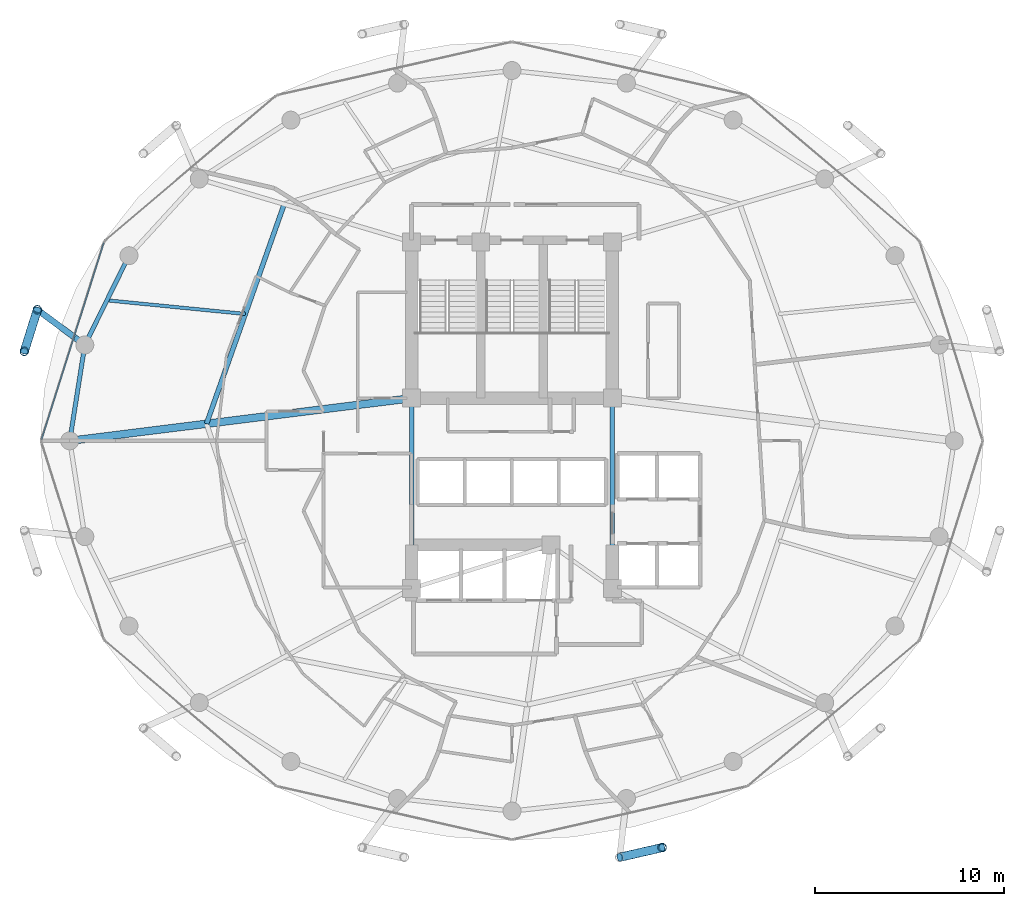
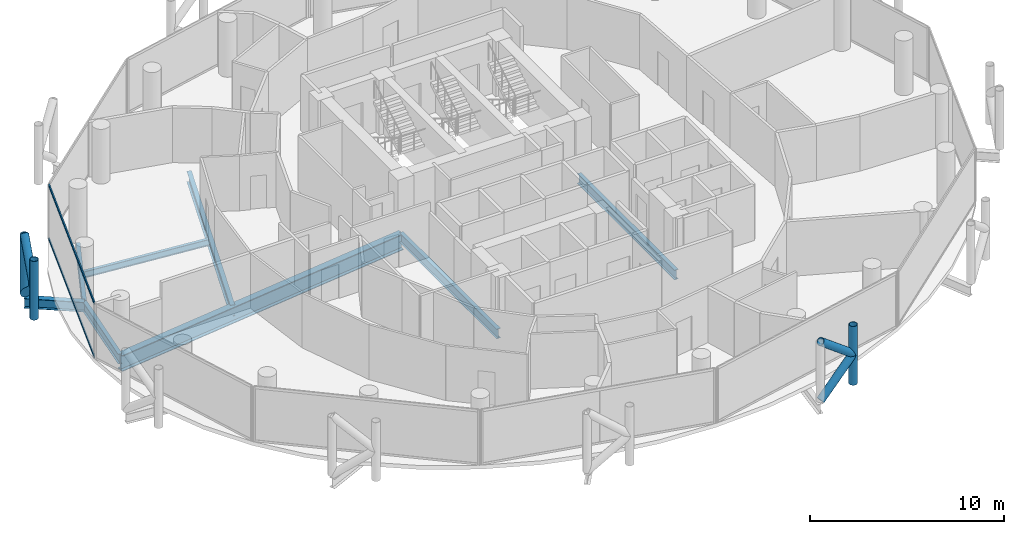
# One storey, part 7 of 26: 9 members, 8 beams, 1 element without a shape of its own.
"""IFC4 building model written with IfcOpenShell, lengths in metres."""

from ifc_helpers import new_model, si_unit, direction, frame, origin, origin_2d, place, context, subcontext, project, spatial, hollow_rectangle, hollow_circle, i_section, extrude, material, layer, layer_set, material_profile, profile_set, type_object, element, aggregate, save


model = new_model("IFC4")

# Units and contexts
model_context = context("Model", 3, precision=1e-05, world=origin(), true_north=direction((0.0, 1.0)))
body_context = subcontext(model_context, "Body", "Model", "MODEL_VIEW")
ifc_project = project(units=[si_unit("LENGTHUNIT", "METRE"), si_unit("AREAUNIT", "SQUARE_METRE"), si_unit("VOLUMEUNIT", "CUBIC_METRE"), si_unit("PLANEANGLEUNIT", "RADIAN"), si_unit("MASSUNIT", "GRAM", prefix="KILO")], contexts=[model_context])

# Site, building, storey
site_placement = place(None, origin())
site = spatial("IfcSite", under=ifc_project, at=site_placement, CompositionType="ELEMENT")
building_placement = place(site_placement, origin())
building = spatial("IfcBuilding", under=site, at=building_placement, Name="Nuhasar Tower", CompositionType="ELEMENT")
storey_placement = place(building_placement, frame((0.0, 0.0, 125.64990234375)))
storey = spatial("IfcBuildingStorey", under=building, at=storey_placement, Name="L29", CompositionType="ELEMENT", Elevation=125.64990234375)

# Beams
ifc_material_1 = material(Name="Steel S355", Category="steel")
ifc_material_profile_1 = material_profile(ifc_material_1, i_section(OverallWidth=0.25390625, OverallDepth=0.68408203125, WebThickness=0.012451171875, FlangeThickness=0.018798828125, at=origin_2d()), Name="W27X94")
ifc_profile_set_1 = profile_set([ifc_material_profile_1], Name="Steel S355")
beam_type_1 = type_object("IfcBeamType", Name="BM-INRING-W27X94", PredefinedType="BEAM", material=ifc_profile_set_1)
beam_1_placement = place(storey_placement, frame((26.972900390625, 39.2939453125, -0.591796875), z_axis=(-0.333599821096, -0.942714781556, 0.0), x_axis=(0.942714781556, -0.333599821096, 0.0)))
element("IfcBeam", 1, at=beam_1_placement, inside=storey, type_object=beam_type_1, Name="L29 Inner Header Beam 07", PredefinedType="BEAM", context=body_context, shape_type="SweptSolid", body=[
    extrude(i_section(OverallWidth=0.25390625, OverallDepth=0.68408203125, WebThickness=0.012451171875, FlangeThickness=0.018798828125, at=origin_2d()), origin(), (0.0, 0.0, 1.0), 12.298583984375),
])
ifc_material_profile_2 = material_profile(ifc_material_1, i_section(OverallWidth=0.177978515625, OverallDepth=0.406005859375, WebThickness=0.0078125, FlangeThickness=0.0126953125, at=origin_2d()), Name="W16X40")
ifc_profile_set_2 = profile_set([ifc_material_profile_2], Name="Steel S355")
beam_type_2 = type_object("IfcBeamType", Name="BM-JST-W16X40", PredefinedType="JOIST", material=ifc_profile_set_2)
beam_2_placement = place(storey_placement, frame((24.922119140625, 33.4970703125, -0.452880859375), z_axis=(-0.995171845755, 0.098147834497, 0.0), x_axis=(-0.098147834497, -0.995171845755, 0.0)))
element("IfcBeam", 2, at=beam_2_placement, inside=storey, type_object=beam_type_2, Name="L29 Secondary Floor Joist 07", PredefinedType="JOIST", context=body_context, shape_type="SweptSolid", body=[
    extrude(i_section(OverallWidth=0.177978515625, OverallDepth=0.406005859375, WebThickness=0.0078125, FlangeThickness=0.0126953125, at=origin_2d()), origin(), (0.0, 0.0, 1.0), 7.345458984375),
])
ifc_material_profile_3 = material_profile(ifc_material_1, i_section(OverallWidth=0.22900390625, OverallDepth=0.612060546875, WebThickness=0.011962890625, FlangeThickness=0.01953125, at=origin_2d()), Name="W24X84")
ifc_profile_set_3 = profile_set([ifc_material_profile_3], Name="Steel S355")
beam_type_3 = type_object("IfcBeamType", Name="BM-RAD-W24X84", PredefinedType="BEAM", material=ifc_profile_set_3)
for number, where, z_axis, x_axis, name in (
    (3, (44.300048828125, 19.0, -0.555908203125), (0.0, 1.0, 0.0), (-1.0, 0.0, 0.0), "L29 Core Ring Girder 3"),
    (4, (33.699951171875, 29.050048828125, -0.555908203125), (0.0, -1.0, 0.0), (1.0, 0.0, 0.0), "L29 Core Ring Girder 8"),
):
    element("IfcBeam", number, at=place(storey_placement, frame(where, z_axis=z_axis, x_axis=x_axis)), inside=storey, type_object=beam_type_3, Name=name, PredefinedType="BEAM", context=body_context, shape_type="SweptSolid", body=[
        extrude(i_section(OverallWidth=0.22900390625, OverallDepth=0.612060546875, WebThickness=0.011962890625, FlangeThickness=0.01953125, at=origin_2d()), origin(), (0.0, 0.0, 1.0), 10.050048828125),
    ])
ifc_material_profile_4 = material_profile(ifc_material_1, i_section(OverallWidth=0.22998046875, OverallDepth=0.616943359375, WebThickness=0.01318359375, FlangeThickness=0.022216796875, at=origin_2d()), Name="W24X94")
ifc_profile_set_4 = profile_set([ifc_material_profile_4], Name="Steel S355")
beam_type_4 = type_object("IfcBeamType", Name="BM-RING-W24X94", PredefinedType="SPANDREL", material=ifc_profile_set_4)
beam_3_placement = place(storey_placement, frame((18.778076171875, 36.574951171875, -0.557861328125), z_axis=(-0.443347771709, -0.896349682501, 0.0), x_axis=(0.896349682501, -0.443347771709, 0.0)))
element("IfcBeam", 5, at=beam_3_placement, inside=storey, type_object=beam_type_4, Name="L29 Perimeter Ring Spandrel 11", PredefinedType="SPANDREL", context=body_context, shape_type="SweptSolid", body=[
    extrude(i_section(OverallWidth=0.22998046875, OverallDepth=0.616943359375, WebThickness=0.01318359375, FlangeThickness=0.022216796875, at=origin_2d()), origin(), (0.0, 0.0, 1.0), 5.260009765625),
])
beam_4_placement = place(storey_placement, frame((16.446044921875, 31.860107421875, -0.557861328125), z_axis=(-0.155426543608, -0.987847452566, 0.0), x_axis=(0.987847452566, -0.155426543608, 0.0)))
element("IfcBeam", 6, at=beam_4_placement, inside=storey, type_object=beam_type_4, Name="L29 Perimeter Ring Spandrel 12", PredefinedType="SPANDREL", context=body_context, shape_type="SweptSolid", body=[
    extrude(i_section(OverallWidth=0.22998046875, OverallDepth=0.616943359375, WebThickness=0.01318359375, FlangeThickness=0.022216796875, at=origin_2d()), origin(), (0.0, 0.0, 1.0), 5.122314453125),
])
ifc_material_profile_5 = material_profile(ifc_material_1, i_section(OverallWidth=0.323974609375, OverallDepth=0.611083984375, WebThickness=0.0126953125, FlangeThickness=0.01904296875, at=origin_2d()), Name="W24X104")
ifc_profile_set_5 = profile_set([ifc_material_profile_5], Name="Steel S355")
beam_type_5 = type_object("IfcBeamType", Name="BM-TIE-W24X104", PredefinedType="BEAM", material=ifc_profile_set_5)
beam_5_placement = place(storey_placement, frame((16.446044921875, 31.860107421875, -0.554931640625), z_axis=(-0.802872198291, 0.596151183183, 0.0), x_axis=(-0.596151183183, -0.802872198291, 0.0)))
element("IfcBeam", 7, at=beam_5_placement, inside=storey, type_object=beam_type_5, Name="L29 Exoskeleton Node Tie Beam 06", PredefinedType="BEAM", context=body_context, shape_type="SweptSolid", body=[
    extrude(i_section(OverallWidth=0.323974609375, OverallDepth=0.611083984375, WebThickness=0.0126953125, FlangeThickness=0.01904296875, at=origin_2d()), origin(), (0.0, 0.0, 1.0), 3.121337890625),
])
ifc_material_2 = material(Name="Steel S460", Category="steel")
ifc_material_profile_6 = material_profile(ifc_material_2, i_section(OverallWidth=0.40087890625, OverallDepth=1.010009765625, WebThickness=0.023681640625, FlangeThickness=0.0419921875, at=origin_2d()), Name="W40X297")
ifc_profile_set_6 = profile_set([ifc_material_profile_6], Name="Steel S460")
beam_type_6 = type_object("IfcBeamType", Name="BM-XFER-W40X297", PredefinedType="USERDEFINED", material=ifc_profile_set_6)
beam_6_placement = place(storey_placement, frame((33.699951171875, 29.050048828125, -0.7548828125), z_axis=(-0.992320149485, -0.123696082908, 0.0), x_axis=(0.123696082908, -0.992320149485, 0.0)))
element("IfcBeam", 8, at=beam_6_placement, inside=storey, type_object=beam_type_6, Name="L29 Radial Floor Girder 08", ObjectType="GIRDER", PredefinedType="USERDEFINED", context=body_context, shape_type="SweptSolid", body=[
    extrude(i_section(OverallWidth=0.40087890625, OverallDepth=1.010009765625, WebThickness=0.023681640625, FlangeThickness=0.0419921875, at=origin_2d()), origin(), (0.0, 0.0, 1.0), 18.189697265625),
])

# Curtain wall, members
ifc_material_3 = material(Name="Aluminium 6063-T6", Category="aluminium")
ifc_layer = layer(ifc_material_3, 0.199951171875)
ifc_layer_set = layer_set([ifc_layer], Name="Aluminium 6063-T6")
curtain_wall_type = type_object("IfcCurtainWallType", Name="CW-Z2-HTL", PredefinedType="NOTDEFINED", material=ifc_layer_set)
curtain_wall_placement = place(storey_placement, origin())
curtain_wall = element("IfcCurtainWall", 9, at=curtain_wall_placement, inside=storey, type_object=curtain_wall_type, Name="L29 Unitised Curtain Wall 06", PredefinedType="NOTDEFINED")
ifc_material_profile_7 = material_profile(ifc_material_3, hollow_rectangle(XDim=0.070068359375, YDim=0.159912109375, WallThickness=0.00439453125, at=origin_2d()), Name="CWT-3")
ifc_profile_set_7 = profile_set([ifc_material_profile_7], Name="Aluminium 6063-T6")
member_type_1 = type_object("IfcMemberType", Name="CW-TRN-S3", PredefinedType="USERDEFINED", material=ifc_profile_set_7)
member_1_placement = place(storey_placement, frame((17.449951171875, 37.26318359375, 0.03515625), z_axis=(-0.301608163352, -0.953431967053, 0.0), x_axis=(0.953431967053, -0.301608163352, 0.0)))
member_1 = element("IfcMember", 10, at=member_1_placement, type_object=member_type_1, Name="CW-Z2 transom 1.1", ObjectType="TRANSOM", PredefinedType="USERDEFINED", context=body_context, shape_type="SweptSolid", body=[
    extrude(hollow_rectangle(XDim=0.070068359375, YDim=0.159912109375, WallThickness=0.00439453125, at=origin_2d()), origin(), (0.0, 0.0, 1.0), 10.904296875),
])
member_2_placement = place(storey_placement, frame((17.449951171875, 37.26318359375, 3.4150390625), z_axis=(-0.301608163352, -0.953431967053, 0.0), x_axis=(0.953431967053, -0.301608163352, 0.0)))
member_2 = element("IfcMember", 11, at=member_2_placement, type_object=member_type_1, Name="CW-Z2 transom 1.2", ObjectType="TRANSOM", PredefinedType="USERDEFINED", context=body_context, shape_type="SweptSolid", body=[
    extrude(hollow_rectangle(XDim=0.070068359375, YDim=0.159912109375, WallThickness=0.00439453125, at=origin_2d()), origin(), (0.0, 0.0, 1.0), 10.904296875),
])
aggregate(curtain_wall, [member_1, member_2])

# Members
ifc_material_profile_8 = material_profile(ifc_material_2, hollow_circle(Radius=0.228515625, WallThickness=0.022216796875, at=origin_2d()), Name="HSS457X22.2")
ifc_profile_set_8 = profile_set([ifc_material_profile_8], Name="Steel S460")
member_type_2 = type_object("IfcMemberType", Name="EXO-BRONZE-457", PredefinedType="BRACE", material=ifc_profile_set_8)
for number, where, z_axis, x_axis, name in (
    (12, (13.93994140625, 33.720947265625, 0.0), (0.0, 0.0, 1.0), (1.0, 0.0, 0.0), "L29 Exoskeleton Chord Column EC-06A"),
    (13, (13.251953125, 31.52587890625, 0.0), (0.0, 0.0, 1.0), (1.0, 0.0, 0.0), "L29 Exoskeleton Chord Column EC-06B"),
    (14, (46.927978515625, 5.323974609375, 0.0), (0.0, 0.0, 1.0), (1.0, 0.0, 0.0), "L29 Exoskeleton Chord Column EC-10B"),
):
    element("IfcMember", number, at=place(storey_placement, frame(where, z_axis=z_axis, x_axis=x_axis)), inside=storey, type_object=member_type_2, Name=name, PredefinedType="BRACE", context=body_context, shape_type="SweptSolid", body=[
        extrude(hollow_circle(Radius=0.228515625, WallThickness=0.022216796875, at=origin_2d()), origin(), (0.0, 0.0, 1.0), 3.7001953125),
    ])
for number, where, z_axis, x_axis, name in (
    (15, (13.93994140625, 33.720947265625, 0.0), (-0.233055548538, -0.743577869731, 0.626719285599), (0.954228474306, -0.29907861646, 0.0), "L29 Bronze Diagrid Brace W1-06"),
    (16, (13.251953125, 31.52587890625, 1.85009765625), (0.233055548538, 0.743577869731, 0.626719285599), (-0.954228474306, 0.29907861646, 0.0), "L29 Bronze Diagrid Brace W2-06"),
):
    element("IfcMember", number, at=place(storey_placement, frame(where, z_axis=z_axis, x_axis=x_axis)), inside=storey, type_object=member_type_2, Name=name, PredefinedType="BRACE", context=body_context, shape_type="SweptSolid", body=[
        extrude(hollow_circle(Radius=0.228515625, WallThickness=0.022216796875, at=origin_2d()), origin(), (0.0, 0.0, 1.0), 2.9521484375),
    ])
for number, where, z_axis, x_axis, name in (
    (17, (44.68603515625, 4.81005859375, 0.0), (0.759510488094, 0.174101010284, 0.626763637022), (-0.223432882746, 0.974719316987, 0.0), "L29 Bronze Diagrid Brace W1-10"),
    (18, (46.927978515625, 5.323974609375, 1.85009765625), (-0.759510488094, -0.174101010284, 0.626763637022), (0.223432882746, -0.974719316987, 0.0), "L29 Bronze Diagrid Brace W2-10"),
):
    element("IfcMember", number, at=place(storey_placement, frame(where, z_axis=z_axis, x_axis=x_axis)), inside=storey, type_object=member_type_2, Name=name, PredefinedType="BRACE", context=body_context, shape_type="SweptSolid", body=[
        extrude(hollow_circle(Radius=0.228515625, WallThickness=0.022216796875, at=origin_2d()), origin(), (0.0, 0.0, 1.0), 2.951904296875),
    ])

save(model, "model.ifc")
